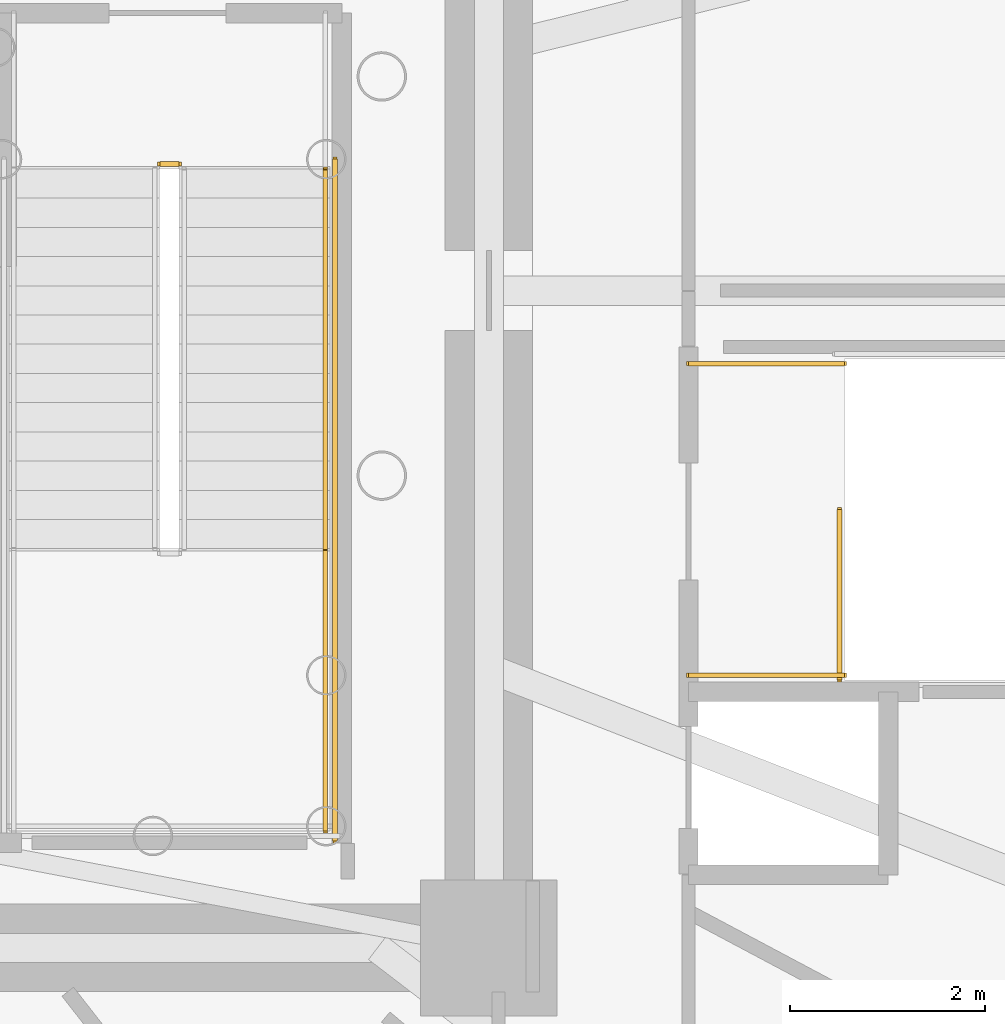
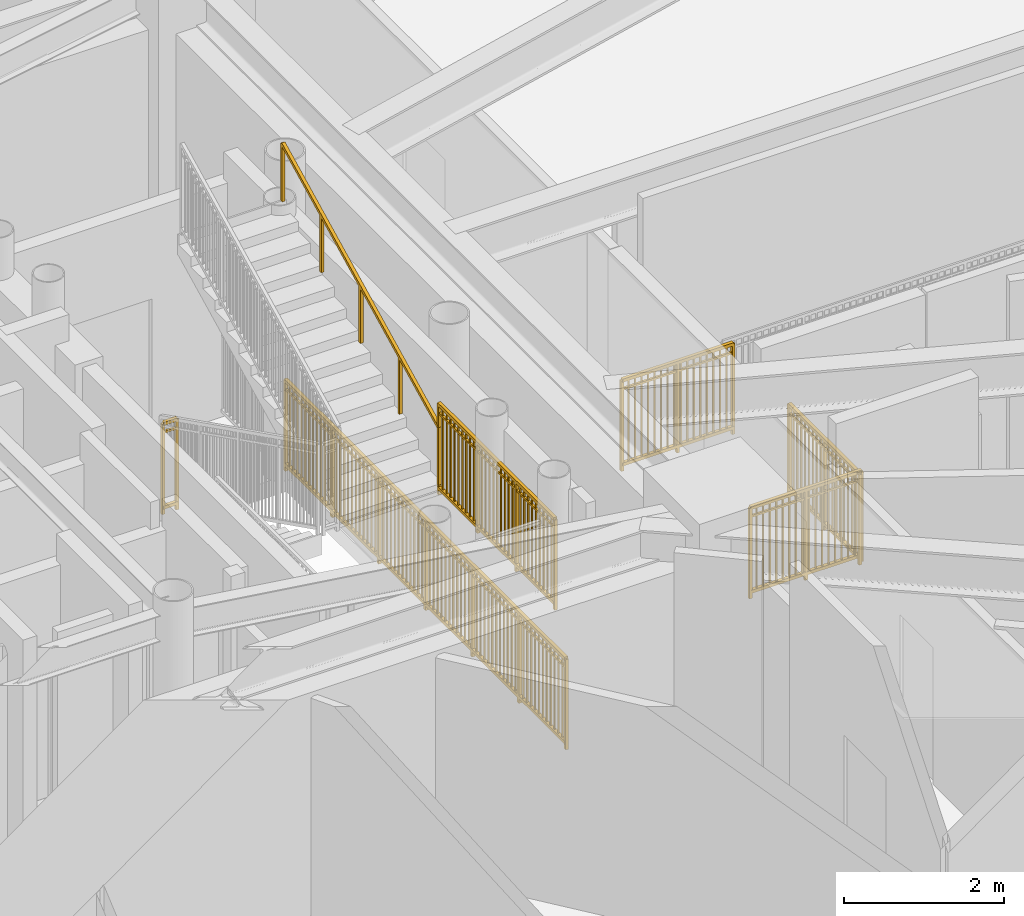
# One storey, part 27 of 28: 7 railings.
"""IFC4 building model written with IfcOpenShell, lengths in metres."""

import ifcopenshell
import ifcopenshell.guid

model = None  # the IFC model being written
_history = None  # IfcOwnerHistory: only IFC2X3 demands one
_inside = {}  # id of a spatial element -> (the spatial element, [elements in it])
_under = {}  # id of a project, library or spatial element -> (it, [spatial elements below it])
_declared = {}  # id of a project -> (the project, [libraries it declares])
_typed = {}  # id of a type object -> (the type object, [elements of that type])
_made_of = {}  # id of a material, layer set ... -> (it, [elements and type objects made of it])


def new_model(schema):
    """Start an empty IFC model of exactly this schema.

    Asked for "IFC4X3", IfcOpenShell would pick the latest addendum, in which some entities
    have other attributes; the version numbers below select the first issue.
    IFC2X3 requires an IfcOwnerHistory on every rooted entity: one is made here for all.
    """
    global model, _history
    if schema == "IFC4X3":
        model = ifcopenshell.file(schema_version=(4, 3, 0, 0))
    else:
        model = ifcopenshell.file(schema=schema)
    _inside.clear()
    _under.clear()
    _declared.clear()
    _typed.clear()
    _made_of.clear()
    _history = None
    if model.schema == "IFC2X3":
        org = make("IfcOrganization", Name="unknown")
        user = make(
            "IfcPersonAndOrganization",
            ThePerson=make("IfcPerson", FamilyName="unknown"),
            TheOrganization=org,
        )
        app = make(
            "IfcApplication",
            ApplicationDeveloper=org,
            Version="unknown",
            ApplicationFullName="unknown",
            ApplicationIdentifier="unknown",
        )
        _history = make(
            "IfcOwnerHistory",
            OwningUser=user,
            OwningApplication=app,
            ChangeAction="ADDED",
            CreationDate=0,
        )
    return model


def make(cls, **values):
    """One entity of the class cls with the attributes given. An attribute that is None is left unset."""
    return model.create_entity(
        cls, **{name: value for name, value in values.items() if value is not None}
    )


def rooted(cls, **values):
    """An entity with a GlobalId (a new one), such as an element, a storey or a relation."""
    return make(cls, GlobalId=ifcopenshell.guid.new(), OwnerHistory=_history, **values)


def si_unit(unit_type, name, prefix=None):
    """IfcSIUnit, for example si_unit("LENGTHUNIT", "METRE", prefix="MILLI")."""
    return make("IfcSIUnit", UnitType=unit_type, Prefix=prefix, Name=name)


def assignment(units):
    """IfcUnitAssignment: the units of a project."""
    return None if units is None else make("IfcUnitAssignment", Units=units)


def point(xyz):
    """IfcCartesianPoint."""
    return None if xyz is None else make("IfcCartesianPoint", Coordinates=xyz)


def direction(xyz):
    """IfcDirection."""
    return None if xyz is None else make("IfcDirection", DirectionRatios=xyz)


def frame(location, z_axis=None, x_axis=None):
    """IfcAxis2Placement3D, a coordinate frame: its origin and axes. An axis left out is left unset."""
    return make(
        "IfcAxis2Placement3D",
        Location=point(location),
        Axis=direction(z_axis),
        RefDirection=direction(x_axis),
    )


def frame_2d(location, x_axis=None):
    """IfcAxis2Placement2D, a coordinate frame in the plane: its origin and x axis."""
    return make(
        "IfcAxis2Placement2D", Location=point(location), RefDirection=direction(x_axis)
    )


def origin():
    """The frame at (0, 0, 0) with its axes left unset."""
    return frame((0.0, 0.0, 0.0))


def origin_2d():
    """The frame at (0, 0) in the plane with its x axis left unset."""
    return frame_2d((0.0, 0.0))


def place(relative_to, where):
    """IfcLocalPlacement: puts the frame where relative to a parent placement (None: the world)."""
    return make(
        "IfcLocalPlacement", PlacementRelTo=relative_to, RelativePlacement=where
    )


def context(
    kind, dimensions, precision=None, world=None, true_north=None, identifier=None
):
    """IfcGeometricRepresentationContext, for example the 3D "Model" context."""
    return make(
        "IfcGeometricRepresentationContext",
        ContextIdentifier=identifier,
        ContextType=kind,
        CoordinateSpaceDimension=dimensions,
        Precision=precision,
        WorldCoordinateSystem=world,
        TrueNorth=true_north,
    )


def subcontext(parent, identifier, kind, view, scale=None):
    """IfcGeometricRepresentationSubContext, for example "Body" below "Model"."""
    return make(
        "IfcGeometricRepresentationSubContext",
        ContextIdentifier=identifier,
        ContextType=kind,
        ParentContext=parent,
        TargetScale=scale,
        TargetView=view,
    )


def project(units=None, contexts=None):
    """IfcProject with its units and contexts."""
    return rooted(
        "IfcProject",
        Name="project",
        RepresentationContexts=contexts,
        UnitsInContext=assignment(units),
    )


def spatial(cls, under=None, at=None, **own):
    """A site, building, storey or space (cls), placed at a placement, below another one or the project."""
    s = rooted(cls, ObjectPlacement=at, **own)
    if under is not None:
        _under.setdefault(under.id(), (under, []))[1].append(s)
    return s


def profile(cls, at=None, kind="AREA", **sizes):
    """A parametric profile (cls). Its sizes go by their IFC names, for example OverallWidth=200.0."""
    return make(cls, ProfileType=kind, Position=at, **sizes)


def rectangle(**sizes):
    """IfcRectangleProfileDef."""
    return profile("IfcRectangleProfileDef", **sizes)


def extrude(swept, where, along, depth):
    """IfcExtrudedAreaSolid: the profile swept, set in the frame where, extruded along a direction by depth."""
    return make(
        "IfcExtrudedAreaSolid",
        SweptArea=swept,
        Position=where,
        ExtrudedDirection=direction(along),
        Depth=depth,
    )


def shape(context_of_items, identifier, shape_type, items):
    """IfcShapeRepresentation: the items that make up one representation, for example the "Body"."""
    return make(
        "IfcShapeRepresentation",
        ContextOfItems=context_of_items,
        RepresentationIdentifier=identifier,
        RepresentationType=shape_type,
        Items=items,
    )


def source(mapping_origin, context_of_items, identifier, shape_type, items):
    """IfcRepresentationMap: a shape defined once, which mapped items show again and again."""
    return make(
        "IfcRepresentationMap",
        MappingOrigin=mapping_origin,
        MappedRepresentation=shape(context_of_items, identifier, shape_type, items),
    )


def transform(
    local_origin,
    x_axis=None,
    y_axis=None,
    z_axis=None,
    scale=None,
    scale2=None,
    scale3=None,
    uniform=True,
):
    """IfcCartesianTransformationOperator3D, or its non-uniform kind. x_axis, y_axis, z_axis: its Axis1, 2, 3."""
    if uniform:
        return make(
            "IfcCartesianTransformationOperator3D",
            Axis1=direction(x_axis),
            Axis2=direction(y_axis),
            LocalOrigin=point(local_origin),
            Scale=scale,
            Axis3=direction(z_axis),
        )
    return make(
        "IfcCartesianTransformationOperator3DnonUniform",
        Axis1=direction(x_axis),
        Axis2=direction(y_axis),
        LocalOrigin=point(local_origin),
        Scale=scale,
        Axis3=direction(z_axis),
        Scale2=scale2,
        Scale3=scale3,
    )


def mapped(mapping_source, mapping_target):
    """IfcMappedItem: shows the shape of a source again, moved by a transform."""
    return make(
        "IfcMappedItem", MappingSource=mapping_source, MappingTarget=mapping_target
    )


def material(Name=None, Category=None):
    """IfcMaterial."""
    return make("IfcMaterial", Name=Name, Category=Category)


def made_of(thing, what):
    """Note that an element or type object is made of a material, layer set ...; save() writes the relation."""
    if what is not None:
        _made_of.setdefault(what.id(), (what, []))[1].append(thing)
    return thing


def type_object(cls, material=None, **own):
    """A type object (cls), such as IfcWallType, which elements share."""
    return made_of(rooted(cls, **own), material)


def element(
    cls,
    number,
    at=None,
    inside=None,
    cuts=None,
    type_object=None,
    material=None,
    context=None,
    identifier="Body",
    shape_type=None,
    held_by="IfcProductDefinitionShape",
    body=None,
    shapes=None,
    **own,
):
    """One element of the class cls, such as IfcWall. Its Tag is "e" and its number.

    at: its placement. inside: the storey or other place that contains it. cuts: it is an
    opening in that element (IfcRelVoidsElement). A single representation is given by context,
    identifier, shape_type and body (its items); several are given by shapes. held_by: the class
    of the entity that holds the representations. save() writes the other relations.
    """
    e = rooted(cls, Tag="e%d" % number, ObjectPlacement=at, **own)
    if body is not None:
        shapes = [shape(context, identifier, shape_type, body)]
    if shapes is not None:
        e.Representation = make(held_by, Representations=shapes)
    if inside is not None:
        _inside.setdefault(inside.id(), (inside, []))[1].append(e)
    if cuts is not None:
        rooted(
            "IfcRelVoidsElement", RelatingBuildingElement=cuts, RelatedOpeningElement=e
        )
    if type_object is not None:
        _typed.setdefault(type_object.id(), (type_object, []))[1].append(e)
    return made_of(e, material)


def aggregate(whole, parts):
    """IfcRelAggregates: a whole, such as a stair, and the parts it consists of."""
    return rooted("IfcRelAggregates", RelatingObject=whole, RelatedObjects=parts)


def save(model, path):
    """Write the relations noted so far, then the file.

    IfcRelAggregates (storeys below a building ...), IfcRelContainedInSpatialStructure (elements
    in a storey), IfcRelDefinesByType, IfcRelAssociatesMaterial and IfcRelDeclares: one each for
    every whole, place, type object, material and project.
    """
    for whole, parts in _under.values():
        aggregate(whole, parts)
    for where, things in _inside.values():
        rooted(
            "IfcRelContainedInSpatialStructure",
            RelatedElements=things,
            RelatingStructure=where,
        )
    for kind, things in _typed.values():
        rooted("IfcRelDefinesByType", RelatedObjects=things, RelatingType=kind)
    for what, things in _made_of.values():
        rooted("IfcRelAssociatesMaterial", RelatedObjects=things, RelatingMaterial=what)
    for by, libraries in _declared.values():
        rooted("IfcRelDeclares", RelatingContext=by, RelatedDefinitions=libraries)
    model.write(path)


model = new_model("IFC4")

# Units and contexts
model_context = context("Model", 3, precision=1e-05, world=origin(), true_north=direction((0.0, 1.0)))
body_context = subcontext(model_context, "Body", "Model", "MODEL_VIEW")
ifc_project = project(units=[si_unit("LENGTHUNIT", "METRE"), si_unit("AREAUNIT", "SQUARE_METRE"), si_unit("VOLUMEUNIT", "CUBIC_METRE"), si_unit("PLANEANGLEUNIT", "RADIAN"), si_unit("MASSUNIT", "GRAM", prefix="KILO")], contexts=[model_context])

# Site, building, storey
site_placement = place(None, origin())
site = spatial("IfcSite", under=ifc_project, at=site_placement, CompositionType="ELEMENT")
building_placement = place(site_placement, origin())
building = spatial("IfcBuilding", under=site, at=building_placement, Name="Linh Dai School and Residence Tower", CompositionType="ELEMENT")
storey_placement = place(building_placement, frame((0.0, 0.0, 57.60009765625)))
storey = spatial("IfcBuildingStorey", under=building, at=storey_placement, Name="L13", CompositionType="ELEMENT", Elevation=57.60009765625)

# Railings
ifc_material_1 = material(Name="Structural Steel S355JR", Category="steel")
railing_type_1 = type_object("IfcRailingType", Name="RL-ST-GUARD-1400", PredefinedType="GUARDRAIL", material=ifc_material_1)
shared_shape_1 = source(origin(), body_context, "Body", "SweptSolid", [
    extrude(rectangle(XDim=0.048095703125, YDim=0.048095703125, at=origin_2d()), frame((0.0, 0.0, 1.3759765625), z_axis=(1.0, 0.0, 0.0), x_axis=(0.0, 1.0, 0.0)), (0.0, 0.0, 1.0), 0.199951171875),
    extrude(rectangle(XDim=0.048095703125, YDim=0.048095703125, at=origin_2d()), frame((0.0, 0.0, 0.10009765625), z_axis=(1.0, 0.0, 0.0), x_axis=(0.0, 1.0, 0.0)), (0.0, 0.0, 1.0), 0.199951171875),
    extrude(rectangle(XDim=0.030029296875, YDim=0.030029296875, at=origin_2d()), frame((0.0, 0.0, 1.239990234375), z_axis=(1.0, 0.0, 0.0), x_axis=(0.0, 1.0, 0.0)), (0.0, 0.0, 1.0), 0.199951171875),
    extrude(rectangle(XDim=0.0419921875, YDim=0.0419921875, at=origin_2d()), origin(), (0.0, 0.0, 1.0), 1.3759765625),
    extrude(rectangle(XDim=0.0419921875, YDim=0.0419921875, at=origin_2d()), frame((0.199951171875, 0.0, 0.0)), (0.0, 0.0, 1.0), 1.3759765625),
])
railing_1_placement = place(storey_placement, frame((42.570068359375, 28.300048828125, 0.0)))
element("IfcRailing", 1, at=railing_1_placement, inside=storey, type_object=railing_type_1, Name="L13 ST2 stair guard 7", PredefinedType="GUARDRAIL", context=body_context, shape_type="MappedRepresentation", body=[
    mapped(shared_shape_1, transform((0.0, 0.0, 0.0), x_axis=(1.0, 0.0, 0.0), y_axis=(0.0, 1.0, 0.0), z_axis=(0.0, 0.0, 1.0), scale=1.0)),
])
shared_shape_2 = source(origin(), body_context, "Body", "SweptSolid", [
    extrude(rectangle(XDim=0.048095703125, YDim=0.048095703125, at=origin_2d()), frame((0.0, 0.0, 1.3759765625), z_axis=(0.0, -1.0, 0.0), x_axis=(1.0, 0.0, 0.0)), (0.0, 0.0, 1.0), 7.0),
    extrude(rectangle(XDim=0.048095703125, YDim=0.048095703125, at=origin_2d()), frame((0.0, 0.0, 0.10009765625), z_axis=(0.0, -1.0, 0.0), x_axis=(1.0, 0.0, 0.0)), (0.0, 0.0, 1.0), 7.0),
    extrude(rectangle(XDim=0.030029296875, YDim=0.030029296875, at=origin_2d()), frame((0.0, 0.0, 1.239990234375), z_axis=(0.0, -1.0, 0.0), x_axis=(1.0, 0.0, 0.0)), (0.0, 0.0, 1.0), 7.0),
    extrude(rectangle(XDim=0.02001953125, YDim=0.02001953125, at=origin_2d()), frame((0.0, -0.09716796875, 0.10009765625)), (0.0, 0.0, 1.0), 1.251708984375),
    extrude(rectangle(XDim=0.02001953125, YDim=0.02001953125, at=origin_2d()), frame((0.0, -0.1943359375, 0.10009765625)), (0.0, 0.0, 1.0), 1.251708984375),
    extrude(rectangle(XDim=0.02001953125, YDim=0.02001953125, at=origin_2d()), frame((0.0, -0.291748046875, 0.10009765625)), (0.0, 0.0, 1.0), 1.251708984375),
    extrude(rectangle(XDim=0.02001953125, YDim=0.02001953125, at=origin_2d()), frame((0.0, -0.388916015625, 0.10009765625)), (0.0, 0.0, 1.0), 1.251708984375),
    extrude(rectangle(XDim=0.02001953125, YDim=0.02001953125, at=origin_2d()), frame((0.0, -0.486083984375, 0.10009765625)), (0.0, 0.0, 1.0), 1.251708984375),
    extrude(rectangle(XDim=0.02001953125, YDim=0.02001953125, at=origin_2d()), frame((0.0, -0.583251953125, 0.10009765625)), (0.0, 0.0, 1.0), 1.251708984375),
    extrude(rectangle(XDim=0.02001953125, YDim=0.02001953125, at=origin_2d()), frame((0.0, -0.6806640625, 0.10009765625)), (0.0, 0.0, 1.0), 1.251708984375),
    extrude(rectangle(XDim=0.02001953125, YDim=0.02001953125, at=origin_2d()), frame((0.0, -0.77783203125, 0.10009765625)), (0.0, 0.0, 1.0), 1.251708984375),
    extrude(rectangle(XDim=0.02001953125, YDim=0.02001953125, at=origin_2d()), frame((0.0, -0.875, 0.10009765625)), (0.0, 0.0, 1.0), 1.251708984375),
    extrude(rectangle(XDim=0.02001953125, YDim=0.02001953125, at=origin_2d()), frame((0.0, -0.97216796875, 0.10009765625)), (0.0, 0.0, 1.0), 1.251708984375),
    extrude(rectangle(XDim=0.02001953125, YDim=0.02001953125, at=origin_2d()), frame((0.0, -1.0693359375, 0.10009765625)), (0.0, 0.0, 1.0), 1.251708984375),
    extrude(rectangle(XDim=0.02001953125, YDim=0.02001953125, at=origin_2d()), frame((0.0, -1.263916015625, 0.10009765625)), (0.0, 0.0, 1.0), 1.251708984375),
    extrude(rectangle(XDim=0.02001953125, YDim=0.02001953125, at=origin_2d()), frame((0.0, -1.361083984375, 0.10009765625)), (0.0, 0.0, 1.0), 1.251708984375),
    extrude(rectangle(XDim=0.02001953125, YDim=0.02001953125, at=origin_2d()), frame((0.0, -1.458251953125, 0.10009765625)), (0.0, 0.0, 1.0), 1.251708984375),
    extrude(rectangle(XDim=0.02001953125, YDim=0.02001953125, at=origin_2d()), frame((0.0, -1.5556640625, 0.10009765625)), (0.0, 0.0, 1.0), 1.251708984375),
    extrude(rectangle(XDim=0.02001953125, YDim=0.02001953125, at=origin_2d()), frame((0.0, -1.65283203125, 0.10009765625)), (0.0, 0.0, 1.0), 1.251708984375),
    extrude(rectangle(XDim=0.02001953125, YDim=0.02001953125, at=origin_2d()), frame((0.0, -1.75, 0.10009765625)), (0.0, 0.0, 1.0), 1.251708984375),
    extrude(rectangle(XDim=0.02001953125, YDim=0.02001953125, at=origin_2d()), frame((0.0, -1.84716796875, 0.10009765625)), (0.0, 0.0, 1.0), 1.251708984375),
    extrude(rectangle(XDim=0.02001953125, YDim=0.02001953125, at=origin_2d()), frame((0.0, -1.9443359375, 0.10009765625)), (0.0, 0.0, 1.0), 1.251708984375),
    extrude(rectangle(XDim=0.02001953125, YDim=0.02001953125, at=origin_2d()), frame((0.0, -2.041748046875, 0.10009765625)), (0.0, 0.0, 1.0), 1.251708984375),
    extrude(rectangle(XDim=0.02001953125, YDim=0.02001953125, at=origin_2d()), frame((0.0, -2.138916015625, 0.10009765625)), (0.0, 0.0, 1.0), 1.251708984375),
    extrude(rectangle(XDim=0.02001953125, YDim=0.02001953125, at=origin_2d()), frame((0.0, -2.236083984375, 0.10009765625)), (0.0, 0.0, 1.0), 1.251708984375),
    extrude(rectangle(XDim=0.02001953125, YDim=0.02001953125, at=origin_2d()), frame((0.0, -2.4306640625, 0.10009765625)), (0.0, 0.0, 1.0), 1.251708984375),
    extrude(rectangle(XDim=0.02001953125, YDim=0.02001953125, at=origin_2d()), frame((0.0, -2.52783203125, 0.10009765625)), (0.0, 0.0, 1.0), 1.251708984375),
    extrude(rectangle(XDim=0.02001953125, YDim=0.02001953125, at=origin_2d()), frame((0.0, -2.625, 0.10009765625)), (0.0, 0.0, 1.0), 1.251708984375),
    extrude(rectangle(XDim=0.02001953125, YDim=0.02001953125, at=origin_2d()), frame((0.0, -2.72216796875, 0.10009765625)), (0.0, 0.0, 1.0), 1.251708984375),
    extrude(rectangle(XDim=0.02001953125, YDim=0.02001953125, at=origin_2d()), frame((0.0, -2.8193359375, 0.10009765625)), (0.0, 0.0, 1.0), 1.251708984375),
    extrude(rectangle(XDim=0.02001953125, YDim=0.02001953125, at=origin_2d()), frame((0.0, -2.916748046875, 0.10009765625)), (0.0, 0.0, 1.0), 1.251708984375),
    extrude(rectangle(XDim=0.02001953125, YDim=0.02001953125, at=origin_2d()), frame((0.0, -3.013916015625, 0.10009765625)), (0.0, 0.0, 1.0), 1.251708984375),
    extrude(rectangle(XDim=0.02001953125, YDim=0.02001953125, at=origin_2d()), frame((0.0, -3.111083984375, 0.10009765625)), (0.0, 0.0, 1.0), 1.251708984375),
    extrude(rectangle(XDim=0.02001953125, YDim=0.02001953125, at=origin_2d()), frame((0.0, -3.208251953125, 0.10009765625)), (0.0, 0.0, 1.0), 1.251708984375),
    extrude(rectangle(XDim=0.02001953125, YDim=0.02001953125, at=origin_2d()), frame((0.0, -3.3056640625, 0.10009765625)), (0.0, 0.0, 1.0), 1.251708984375),
    extrude(rectangle(XDim=0.02001953125, YDim=0.02001953125, at=origin_2d()), frame((0.0, -3.40283203125, 0.10009765625)), (0.0, 0.0, 1.0), 1.251708984375),
    extrude(rectangle(XDim=0.02001953125, YDim=0.02001953125, at=origin_2d()), frame((0.0, -3.59716796875, 0.10009765625)), (0.0, 0.0, 1.0), 1.251708984375),
    extrude(rectangle(XDim=0.02001953125, YDim=0.02001953125, at=origin_2d()), frame((0.0, -3.6943359375, 0.10009765625)), (0.0, 0.0, 1.0), 1.251708984375),
    extrude(rectangle(XDim=0.02001953125, YDim=0.02001953125, at=origin_2d()), frame((0.0, -3.791748046875, 0.10009765625)), (0.0, 0.0, 1.0), 1.251708984375),
    extrude(rectangle(XDim=0.02001953125, YDim=0.02001953125, at=origin_2d()), frame((0.0, -3.888916015625, 0.10009765625)), (0.0, 0.0, 1.0), 1.251708984375),
    extrude(rectangle(XDim=0.02001953125, YDim=0.02001953125, at=origin_2d()), frame((0.0, -3.986083984375, 0.10009765625)), (0.0, 0.0, 1.0), 1.251708984375),
    extrude(rectangle(XDim=0.02001953125, YDim=0.02001953125, at=origin_2d()), frame((0.0, -4.083251953125, 0.10009765625)), (0.0, 0.0, 1.0), 1.251708984375),
    extrude(rectangle(XDim=0.02001953125, YDim=0.02001953125, at=origin_2d()), frame((0.0, -4.1806640625, 0.10009765625)), (0.0, 0.0, 1.0), 1.251708984375),
    extrude(rectangle(XDim=0.02001953125, YDim=0.02001953125, at=origin_2d()), frame((0.0, -4.27783203125, 0.10009765625)), (0.0, 0.0, 1.0), 1.251708984375),
    extrude(rectangle(XDim=0.02001953125, YDim=0.02001953125, at=origin_2d()), frame((0.0, -4.375, 0.10009765625)), (0.0, 0.0, 1.0), 1.251708984375),
    extrude(rectangle(XDim=0.02001953125, YDim=0.02001953125, at=origin_2d()), frame((0.0, -4.47216796875, 0.10009765625)), (0.0, 0.0, 1.0), 1.251708984375),
    extrude(rectangle(XDim=0.02001953125, YDim=0.02001953125, at=origin_2d()), frame((0.0, -4.5693359375, 0.10009765625)), (0.0, 0.0, 1.0), 1.251708984375),
    extrude(rectangle(XDim=0.02001953125, YDim=0.02001953125, at=origin_2d()), frame((0.0, -4.763916015625, 0.10009765625)), (0.0, 0.0, 1.0), 1.251708984375),
    extrude(rectangle(XDim=0.02001953125, YDim=0.02001953125, at=origin_2d()), frame((0.0, -4.861083984375, 0.10009765625)), (0.0, 0.0, 1.0), 1.251708984375),
    extrude(rectangle(XDim=0.02001953125, YDim=0.02001953125, at=origin_2d()), frame((0.0, -4.958251953125, 0.10009765625)), (0.0, 0.0, 1.0), 1.251708984375),
    extrude(rectangle(XDim=0.02001953125, YDim=0.02001953125, at=origin_2d()), frame((0.0, -5.0556640625, 0.10009765625)), (0.0, 0.0, 1.0), 1.251708984375),
    extrude(rectangle(XDim=0.02001953125, YDim=0.02001953125, at=origin_2d()), frame((0.0, -5.15283203125, 0.10009765625)), (0.0, 0.0, 1.0), 1.251708984375),
    extrude(rectangle(XDim=0.02001953125, YDim=0.02001953125, at=origin_2d()), frame((0.0, -5.25, 0.10009765625)), (0.0, 0.0, 1.0), 1.251708984375),
    extrude(rectangle(XDim=0.02001953125, YDim=0.02001953125, at=origin_2d()), frame((0.0, -5.34716796875, 0.10009765625)), (0.0, 0.0, 1.0), 1.251708984375),
    extrude(rectangle(XDim=0.02001953125, YDim=0.02001953125, at=origin_2d()), frame((0.0, -5.4443359375, 0.10009765625)), (0.0, 0.0, 1.0), 1.251708984375),
    extrude(rectangle(XDim=0.02001953125, YDim=0.02001953125, at=origin_2d()), frame((0.0, -5.541748046875, 0.10009765625)), (0.0, 0.0, 1.0), 1.251708984375),
    extrude(rectangle(XDim=0.02001953125, YDim=0.02001953125, at=origin_2d()), frame((0.0, -5.638916015625, 0.10009765625)), (0.0, 0.0, 1.0), 1.251708984375),
    extrude(rectangle(XDim=0.02001953125, YDim=0.02001953125, at=origin_2d()), frame((0.0, -5.736083984375, 0.10009765625)), (0.0, 0.0, 1.0), 1.251708984375),
    extrude(rectangle(XDim=0.02001953125, YDim=0.02001953125, at=origin_2d()), frame((0.0, -5.9306640625, 0.10009765625)), (0.0, 0.0, 1.0), 1.251708984375),
    extrude(rectangle(XDim=0.02001953125, YDim=0.02001953125, at=origin_2d()), frame((0.0, -6.02783203125, 0.10009765625)), (0.0, 0.0, 1.0), 1.251708984375),
    extrude(rectangle(XDim=0.02001953125, YDim=0.02001953125, at=origin_2d()), frame((0.0, -6.125, 0.10009765625)), (0.0, 0.0, 1.0), 1.251708984375),
    extrude(rectangle(XDim=0.02001953125, YDim=0.02001953125, at=origin_2d()), frame((0.0, -6.22216796875, 0.10009765625)), (0.0, 0.0, 1.0), 1.251708984375),
    extrude(rectangle(XDim=0.02001953125, YDim=0.02001953125, at=origin_2d()), frame((0.0, -6.3193359375, 0.10009765625)), (0.0, 0.0, 1.0), 1.251708984375),
    extrude(rectangle(XDim=0.02001953125, YDim=0.02001953125, at=origin_2d()), frame((0.0, -6.416748046875, 0.10009765625)), (0.0, 0.0, 1.0), 1.251708984375),
    extrude(rectangle(XDim=0.02001953125, YDim=0.02001953125, at=origin_2d()), frame((0.0, -6.513916015625, 0.10009765625)), (0.0, 0.0, 1.0), 1.251708984375),
    extrude(rectangle(XDim=0.02001953125, YDim=0.02001953125, at=origin_2d()), frame((0.0, -6.611083984375, 0.10009765625)), (0.0, 0.0, 1.0), 1.251708984375),
    extrude(rectangle(XDim=0.02001953125, YDim=0.02001953125, at=origin_2d()), frame((0.0, -6.708251953125, 0.10009765625)), (0.0, 0.0, 1.0), 1.251708984375),
    extrude(rectangle(XDim=0.02001953125, YDim=0.02001953125, at=origin_2d()), frame((0.0, -6.8056640625, 0.10009765625)), (0.0, 0.0, 1.0), 1.251708984375),
    extrude(rectangle(XDim=0.02001953125, YDim=0.02001953125, at=origin_2d()), frame((0.0, -6.90283203125, 0.10009765625)), (0.0, 0.0, 1.0), 1.251708984375),
    extrude(rectangle(XDim=0.0419921875, YDim=0.0419921875, at=origin_2d()), origin(), (0.0, 0.0, 1.0), 1.3759765625),
    extrude(rectangle(XDim=0.0419921875, YDim=0.0419921875, at=origin_2d()), frame((0.0, -1.166748046875, 0.0)), (0.0, 0.0, 1.0), 1.3759765625),
    extrude(rectangle(XDim=0.0419921875, YDim=0.0419921875, at=origin_2d()), frame((0.0, -2.333251953125, 0.0)), (0.0, 0.0, 1.0), 1.3759765625),
    extrude(rectangle(XDim=0.0419921875, YDim=0.0419921875, at=origin_2d()), frame((0.0, -3.5, 0.0)), (0.0, 0.0, 1.0), 1.3759765625),
    extrude(rectangle(XDim=0.0419921875, YDim=0.0419921875, at=origin_2d()), frame((0.0, -4.666748046875, 0.0)), (0.0, 0.0, 1.0), 1.3759765625),
    extrude(rectangle(XDim=0.0419921875, YDim=0.0419921875, at=origin_2d()), frame((0.0, -5.833251953125, 0.0)), (0.0, 0.0, 1.0), 1.3759765625),
    extrude(rectangle(XDim=0.0419921875, YDim=0.0419921875, at=origin_2d()), frame((0.0, -7.0, 0.0)), (0.0, 0.0, 1.0), 1.3759765625),
])
railing_2_placement = place(storey_placement, frame((44.3701171875, 28.35009765625, 0.0)))
element("IfcRailing", 2, at=railing_2_placement, inside=storey, type_object=railing_type_1, Name="L13 ST2 stair guard 11", PredefinedType="GUARDRAIL", context=body_context, shape_type="MappedRepresentation", body=[
    mapped(shared_shape_2, transform((0.0, 0.0, 0.0), x_axis=(1.0, 0.0, 0.0), y_axis=(0.0, 1.0, 0.0), z_axis=(0.0, 0.0, 1.0), scale=1.0)),
])
shared_shape_3 = source(origin(), body_context, "Body", "SweptSolid", [
    extrude(rectangle(XDim=0.048095703125, YDim=0.048095703125, at=origin_2d()), frame((0.0, 0.0, 1.3759765625), z_axis=(0.0, -1.0, 0.0), x_axis=(1.0, 0.0, 0.0)), (0.0, 0.0, 1.0), 2.900146484375),
    extrude(rectangle(XDim=0.048095703125, YDim=0.048095703125, at=origin_2d()), frame((0.0, 0.0, 0.10009765625), z_axis=(0.0, -1.0, 0.0), x_axis=(1.0, 0.0, 0.0)), (0.0, 0.0, 1.0), 2.900146484375),
    extrude(rectangle(XDim=0.030029296875, YDim=0.030029296875, at=origin_2d()), frame((0.0, 0.0, 1.239990234375), z_axis=(0.0, -1.0, 0.0), x_axis=(1.0, 0.0, 0.0)), (0.0, 0.0, 1.0), 2.900146484375),
    extrude(rectangle(XDim=0.02001953125, YDim=0.02001953125, at=origin_2d()), frame((0.0, -0.0966796875, 0.10009765625)), (0.0, 0.0, 1.0), 1.251708984375),
    extrude(rectangle(XDim=0.02001953125, YDim=0.02001953125, at=origin_2d()), frame((0.0, -0.193359375, 0.10009765625)), (0.0, 0.0, 1.0), 1.251708984375),
    extrude(rectangle(XDim=0.02001953125, YDim=0.02001953125, at=origin_2d()), frame((0.0, -0.2900390625, 0.10009765625)), (0.0, 0.0, 1.0), 1.251708984375),
    extrude(rectangle(XDim=0.02001953125, YDim=0.02001953125, at=origin_2d()), frame((0.0, -0.38671875, 0.10009765625)), (0.0, 0.0, 1.0), 1.251708984375),
    extrude(rectangle(XDim=0.02001953125, YDim=0.02001953125, at=origin_2d()), frame((0.0, -0.4833984375, 0.10009765625)), (0.0, 0.0, 1.0), 1.251708984375),
    extrude(rectangle(XDim=0.02001953125, YDim=0.02001953125, at=origin_2d()), frame((0.0, -0.580078125, 0.10009765625)), (0.0, 0.0, 1.0), 1.251708984375),
    extrude(rectangle(XDim=0.02001953125, YDim=0.02001953125, at=origin_2d()), frame((0.0, -0.6767578125, 0.10009765625)), (0.0, 0.0, 1.0), 1.251708984375),
    extrude(rectangle(XDim=0.02001953125, YDim=0.02001953125, at=origin_2d()), frame((0.0, -0.7734375, 0.10009765625)), (0.0, 0.0, 1.0), 1.251708984375),
    extrude(rectangle(XDim=0.02001953125, YDim=0.02001953125, at=origin_2d()), frame((0.0, -0.8701171875, 0.10009765625)), (0.0, 0.0, 1.0), 1.251708984375),
    extrude(rectangle(XDim=0.02001953125, YDim=0.02001953125, at=origin_2d()), frame((0.0, -1.0634765625, 0.10009765625)), (0.0, 0.0, 1.0), 1.251708984375),
    extrude(rectangle(XDim=0.02001953125, YDim=0.02001953125, at=origin_2d()), frame((0.0, -1.16015625, 0.10009765625)), (0.0, 0.0, 1.0), 1.251708984375),
    extrude(rectangle(XDim=0.02001953125, YDim=0.02001953125, at=origin_2d()), frame((0.0, -1.2568359375, 0.10009765625)), (0.0, 0.0, 1.0), 1.251708984375),
    extrude(rectangle(XDim=0.02001953125, YDim=0.02001953125, at=origin_2d()), frame((0.0, -1.353515625, 0.10009765625)), (0.0, 0.0, 1.0), 1.251708984375),
    extrude(rectangle(XDim=0.02001953125, YDim=0.02001953125, at=origin_2d()), frame((0.0, -1.4501953125, 0.10009765625)), (0.0, 0.0, 1.0), 1.251708984375),
    extrude(rectangle(XDim=0.02001953125, YDim=0.02001953125, at=origin_2d()), frame((0.0, -1.546630859375, 0.10009765625)), (0.0, 0.0, 1.0), 1.251708984375),
    extrude(rectangle(XDim=0.02001953125, YDim=0.02001953125, at=origin_2d()), frame((0.0, -1.643310546875, 0.10009765625)), (0.0, 0.0, 1.0), 1.251708984375),
    extrude(rectangle(XDim=0.02001953125, YDim=0.02001953125, at=origin_2d()), frame((0.0, -1.739990234375, 0.10009765625)), (0.0, 0.0, 1.0), 1.251708984375),
    extrude(rectangle(XDim=0.02001953125, YDim=0.02001953125, at=origin_2d()), frame((0.0, -1.836669921875, 0.10009765625)), (0.0, 0.0, 1.0), 1.251708984375),
    extrude(rectangle(XDim=0.02001953125, YDim=0.02001953125, at=origin_2d()), frame((0.0, -2.030029296875, 0.10009765625)), (0.0, 0.0, 1.0), 1.251708984375),
    extrude(rectangle(XDim=0.02001953125, YDim=0.02001953125, at=origin_2d()), frame((0.0, -2.126708984375, 0.10009765625)), (0.0, 0.0, 1.0), 1.251708984375),
    extrude(rectangle(XDim=0.02001953125, YDim=0.02001953125, at=origin_2d()), frame((0.0, -2.223388671875, 0.10009765625)), (0.0, 0.0, 1.0), 1.251708984375),
    extrude(rectangle(XDim=0.02001953125, YDim=0.02001953125, at=origin_2d()), frame((0.0, -2.320068359375, 0.10009765625)), (0.0, 0.0, 1.0), 1.251708984375),
    extrude(rectangle(XDim=0.02001953125, YDim=0.02001953125, at=origin_2d()), frame((0.0, -2.416748046875, 0.10009765625)), (0.0, 0.0, 1.0), 1.251708984375),
    extrude(rectangle(XDim=0.02001953125, YDim=0.02001953125, at=origin_2d()), frame((0.0, -2.513427734375, 0.10009765625)), (0.0, 0.0, 1.0), 1.251708984375),
    extrude(rectangle(XDim=0.02001953125, YDim=0.02001953125, at=origin_2d()), frame((0.0, -2.610107421875, 0.10009765625)), (0.0, 0.0, 1.0), 1.251708984375),
    extrude(rectangle(XDim=0.02001953125, YDim=0.02001953125, at=origin_2d()), frame((0.0, -2.706787109375, 0.10009765625)), (0.0, 0.0, 1.0), 1.251708984375),
    extrude(rectangle(XDim=0.02001953125, YDim=0.02001953125, at=origin_2d()), frame((0.0, -2.803466796875, 0.10009765625)), (0.0, 0.0, 1.0), 1.251708984375),
    extrude(rectangle(XDim=0.0419921875, YDim=0.0419921875, at=origin_2d()), origin(), (0.0, 0.0, 1.0), 1.3759765625),
    extrude(rectangle(XDim=0.0419921875, YDim=0.0419921875, at=origin_2d()), frame((0.0, -0.966796875, 0.0)), (0.0, 0.0, 1.0), 1.3759765625),
    extrude(rectangle(XDim=0.0419921875, YDim=0.0419921875, at=origin_2d()), frame((0.0, -1.933349609375, 0.0)), (0.0, 0.0, 1.0), 1.3759765625),
    extrude(rectangle(XDim=0.0419921875, YDim=0.0419921875, at=origin_2d()), frame((0.0, -2.900146484375, 0.0)), (0.0, 0.0, 1.0), 1.3759765625),
])
railing_3_placement = place(storey_placement, frame((44.27001953125, 24.35009765625, 2.099853515625)))
element("IfcRailing", 3, at=railing_3_placement, inside=storey, type_object=railing_type_1, Name="L13 ST2 stair guard 4", PredefinedType="GUARDRAIL", context=body_context, shape_type="MappedRepresentation", body=[
    mapped(shared_shape_3, transform((0.0, 0.0, 0.0), x_axis=(1.0, 0.0, 0.0), y_axis=(0.0, 1.0, 0.0), z_axis=(0.0, 0.0, 1.0), scale=1.0)),
])
ifc_material_2 = material(Name="Brushed Stainless Steel Handrail", Category="steel")
railing_type_2 = type_object("IfcRailingType", Name="RL-ST-HANDRAIL-900", PredefinedType="HANDRAIL", material=ifc_material_2)
shared_shape_4 = source(origin(), body_context, "Body", "SweptSolid", [
    extrude(rectangle(XDim=0.048095703125, YDim=0.048095703125, at=origin_2d()), frame((0.0, 0.0, 0.8759765625), z_axis=(0.0, 0.894427191, 0.4472135955), x_axis=(-1.0, 0.0, 0.0)), (0.0, 0.0, 1.0), 4.360107421875),
    extrude(rectangle(XDim=0.0419921875, YDim=0.0419921875, at=origin_2d()), origin(), (0.0, 0.0, 1.0), 0.8759765625),
    extrude(rectangle(XDim=0.0419921875, YDim=0.0419921875, at=origin_2d()), frame((0.0, 0.97509765625, 0.487548828125)), (0.0, 0.0, 1.0), 0.8759765625),
    extrude(rectangle(XDim=0.0419921875, YDim=0.0419921875, at=origin_2d()), frame((0.0, 1.949951171875, 0.97509765625)), (0.0, 0.0, 1.0), 0.8759765625),
    extrude(rectangle(XDim=0.0419921875, YDim=0.0419921875, at=origin_2d()), frame((0.0, 2.9248046875, 1.46240234375)), (0.0, 0.0, 1.0), 0.8759765625),
    extrude(rectangle(XDim=0.0419921875, YDim=0.0419921875, at=origin_2d()), frame((0.0, 3.89990234375, 1.949951171875)), (0.0, 0.0, 1.0), 0.8759765625),
])
railing_4_placement = place(storey_placement, frame((44.27001953125, 24.35009765625, 2.25)))
element("IfcRailing", 4, at=railing_4_placement, inside=storey, type_object=railing_type_2, Name="L13 ST2 stair handrail 2", PredefinedType="HANDRAIL", context=body_context, shape_type="MappedRepresentation", body=[
    mapped(shared_shape_4, transform((0.0, 0.0, 0.0), x_axis=(1.0, 0.0, 0.0), y_axis=(0.0, 1.0, 0.0), z_axis=(0.0, 0.0, 1.0), scale=1.0)),
])
shared_shape_5 = source(origin(), body_context, "Body", "SweptSolid", [
    extrude(rectangle(XDim=0.048095703125, YDim=0.048095703125, at=origin_2d()), frame((0.0, 0.0, 1.3759765625), z_axis=(1.0, 0.0, 0.0), x_axis=(0.0, 1.0, 0.0)), (0.0, 0.0, 1.0), 1.60009765625),
    extrude(rectangle(XDim=0.048095703125, YDim=0.048095703125, at=origin_2d()), frame((0.0, 0.0, 0.10009765625), z_axis=(1.0, 0.0, 0.0), x_axis=(0.0, 1.0, 0.0)), (0.0, 0.0, 1.0), 1.60009765625),
    extrude(rectangle(XDim=0.030029296875, YDim=0.030029296875, at=origin_2d()), frame((0.0, 0.0, 1.239990234375), z_axis=(1.0, 0.0, 0.0), x_axis=(0.0, 1.0, 0.0)), (0.0, 0.0, 1.0), 1.60009765625),
    extrude(rectangle(XDim=0.02001953125, YDim=0.02001953125, at=origin_2d()), frame((0.09423828125, 0.0, 0.10009765625)), (0.0, 0.0, 1.0), 1.251708984375),
    extrude(rectangle(XDim=0.02001953125, YDim=0.02001953125, at=origin_2d()), frame((0.188232421875, 0.0, 0.10009765625)), (0.0, 0.0, 1.0), 1.251708984375),
    extrude(rectangle(XDim=0.02001953125, YDim=0.02001953125, at=origin_2d()), frame((0.282470703125, 0.0, 0.10009765625)), (0.0, 0.0, 1.0), 1.251708984375),
    extrude(rectangle(XDim=0.02001953125, YDim=0.02001953125, at=origin_2d()), frame((0.37646484375, 0.0, 0.10009765625)), (0.0, 0.0, 1.0), 1.251708984375),
    extrude(rectangle(XDim=0.02001953125, YDim=0.02001953125, at=origin_2d()), frame((0.470703125, 0.0, 0.10009765625)), (0.0, 0.0, 1.0), 1.251708984375),
    extrude(rectangle(XDim=0.02001953125, YDim=0.02001953125, at=origin_2d()), frame((0.564697265625, 0.0, 0.10009765625)), (0.0, 0.0, 1.0), 1.251708984375),
    extrude(rectangle(XDim=0.02001953125, YDim=0.02001953125, at=origin_2d()), frame((0.658935546875, 0.0, 0.10009765625)), (0.0, 0.0, 1.0), 1.251708984375),
    extrude(rectangle(XDim=0.02001953125, YDim=0.02001953125, at=origin_2d()), frame((0.7529296875, 0.0, 0.10009765625)), (0.0, 0.0, 1.0), 1.251708984375),
    extrude(rectangle(XDim=0.02001953125, YDim=0.02001953125, at=origin_2d()), frame((0.84716796875, 0.0, 0.10009765625)), (0.0, 0.0, 1.0), 1.251708984375),
    extrude(rectangle(XDim=0.02001953125, YDim=0.02001953125, at=origin_2d()), frame((0.941162109375, 0.0, 0.10009765625)), (0.0, 0.0, 1.0), 1.251708984375),
    extrude(rectangle(XDim=0.02001953125, YDim=0.02001953125, at=origin_2d()), frame((1.035400390625, 0.0, 0.10009765625)), (0.0, 0.0, 1.0), 1.251708984375),
    extrude(rectangle(XDim=0.02001953125, YDim=0.02001953125, at=origin_2d()), frame((1.12939453125, 0.0, 0.10009765625)), (0.0, 0.0, 1.0), 1.251708984375),
    extrude(rectangle(XDim=0.02001953125, YDim=0.02001953125, at=origin_2d()), frame((1.2236328125, 0.0, 0.10009765625)), (0.0, 0.0, 1.0), 1.251708984375),
    extrude(rectangle(XDim=0.02001953125, YDim=0.02001953125, at=origin_2d()), frame((1.317626953125, 0.0, 0.10009765625)), (0.0, 0.0, 1.0), 1.251708984375),
    extrude(rectangle(XDim=0.02001953125, YDim=0.02001953125, at=origin_2d()), frame((1.411865234375, 0.0, 0.10009765625)), (0.0, 0.0, 1.0), 1.251708984375),
    extrude(rectangle(XDim=0.02001953125, YDim=0.02001953125, at=origin_2d()), frame((1.505859375, 0.0, 0.10009765625)), (0.0, 0.0, 1.0), 1.251708984375),
    extrude(rectangle(XDim=0.0419921875, YDim=0.0419921875, at=origin_2d()), origin(), (0.0, 0.0, 1.0), 1.3759765625),
    extrude(rectangle(XDim=0.0419921875, YDim=0.0419921875, at=origin_2d()), frame((0.800048828125, 0.0, 0.0)), (0.0, 0.0, 1.0), 1.3759765625),
    extrude(rectangle(XDim=0.0419921875, YDim=0.0419921875, at=origin_2d()), frame((1.60009765625, 0.0, 0.0)), (0.0, 0.0, 1.0), 1.3759765625),
])
for number, where, name in (
    (5, (48.0, 23.050048828125, 0.0), "L13 STS2 top well guard 5"),
    (6, (48.0, 26.25, 0.0), "L13 STS2 top well guard 6"),
):
    element("IfcRailing", number, at=place(storey_placement, frame(where)), inside=storey, type_object=railing_type_1, Name=name, PredefinedType="GUARDRAIL", context=body_context, shape_type="MappedRepresentation", body=[
        mapped(shared_shape_5, transform((0.0, 0.0, 0.0), x_axis=(1.0, 0.0, 0.0), y_axis=(0.0, 1.0, 0.0), z_axis=(0.0, 0.0, 1.0), scale=1.0)),
    ])
shared_shape_6 = source(origin(), body_context, "Body", "SweptSolid", [
    extrude(rectangle(XDim=0.048095703125, YDim=0.048095703125, at=origin_2d()), frame((0.0, 0.0, 1.3759765625), z_axis=(0.0, 1.0, 0.0), x_axis=(-1.0, 0.0, 0.0)), (0.0, 0.0, 1.0), 1.75),
    extrude(rectangle(XDim=0.048095703125, YDim=0.048095703125, at=origin_2d()), frame((0.0, 0.0, 0.10009765625), z_axis=(0.0, 1.0, 0.0), x_axis=(-1.0, 0.0, 0.0)), (0.0, 0.0, 1.0), 1.75),
    extrude(rectangle(XDim=0.030029296875, YDim=0.030029296875, at=origin_2d()), frame((0.0, 0.0, 1.239990234375), z_axis=(0.0, 1.0, 0.0), x_axis=(-1.0, 0.0, 0.0)), (0.0, 0.0, 1.0), 1.75),
    extrude(rectangle(XDim=0.02001953125, YDim=0.02001953125, at=origin_2d()), frame((0.0, 0.09716796875, 0.10009765625)), (0.0, 0.0, 1.0), 1.251708984375),
    extrude(rectangle(XDim=0.02001953125, YDim=0.02001953125, at=origin_2d()), frame((0.0, 0.1943359375, 0.10009765625)), (0.0, 0.0, 1.0), 1.251708984375),
    extrude(rectangle(XDim=0.02001953125, YDim=0.02001953125, at=origin_2d()), frame((0.0, 0.291748046875, 0.10009765625)), (0.0, 0.0, 1.0), 1.251708984375),
    extrude(rectangle(XDim=0.02001953125, YDim=0.02001953125, at=origin_2d()), frame((0.0, 0.388916015625, 0.10009765625)), (0.0, 0.0, 1.0), 1.251708984375),
    extrude(rectangle(XDim=0.02001953125, YDim=0.02001953125, at=origin_2d()), frame((0.0, 0.486083984375, 0.10009765625)), (0.0, 0.0, 1.0), 1.251708984375),
    extrude(rectangle(XDim=0.02001953125, YDim=0.02001953125, at=origin_2d()), frame((0.0, 0.583251953125, 0.10009765625)), (0.0, 0.0, 1.0), 1.251708984375),
    extrude(rectangle(XDim=0.02001953125, YDim=0.02001953125, at=origin_2d()), frame((0.0, 0.6806640625, 0.10009765625)), (0.0, 0.0, 1.0), 1.251708984375),
    extrude(rectangle(XDim=0.02001953125, YDim=0.02001953125, at=origin_2d()), frame((0.0, 0.77783203125, 0.10009765625)), (0.0, 0.0, 1.0), 1.251708984375),
    extrude(rectangle(XDim=0.02001953125, YDim=0.02001953125, at=origin_2d()), frame((0.0, 0.97216796875, 0.10009765625)), (0.0, 0.0, 1.0), 1.251708984375),
    extrude(rectangle(XDim=0.02001953125, YDim=0.02001953125, at=origin_2d()), frame((0.0, 1.0693359375, 0.10009765625)), (0.0, 0.0, 1.0), 1.251708984375),
    extrude(rectangle(XDim=0.02001953125, YDim=0.02001953125, at=origin_2d()), frame((0.0, 1.166748046875, 0.10009765625)), (0.0, 0.0, 1.0), 1.251708984375),
    extrude(rectangle(XDim=0.02001953125, YDim=0.02001953125, at=origin_2d()), frame((0.0, 1.263916015625, 0.10009765625)), (0.0, 0.0, 1.0), 1.251708984375),
    extrude(rectangle(XDim=0.02001953125, YDim=0.02001953125, at=origin_2d()), frame((0.0, 1.361083984375, 0.10009765625)), (0.0, 0.0, 1.0), 1.251708984375),
    extrude(rectangle(XDim=0.02001953125, YDim=0.02001953125, at=origin_2d()), frame((0.0, 1.458251953125, 0.10009765625)), (0.0, 0.0, 1.0), 1.251708984375),
    extrude(rectangle(XDim=0.02001953125, YDim=0.02001953125, at=origin_2d()), frame((0.0, 1.5556640625, 0.10009765625)), (0.0, 0.0, 1.0), 1.251708984375),
    extrude(rectangle(XDim=0.02001953125, YDim=0.02001953125, at=origin_2d()), frame((0.0, 1.65283203125, 0.10009765625)), (0.0, 0.0, 1.0), 1.251708984375),
    extrude(rectangle(XDim=0.0419921875, YDim=0.0419921875, at=origin_2d()), origin(), (0.0, 0.0, 1.0), 1.3759765625),
    extrude(rectangle(XDim=0.0419921875, YDim=0.0419921875, at=origin_2d()), frame((0.0, 0.875, 0.0)), (0.0, 0.0, 1.0), 1.3759765625),
    extrude(rectangle(XDim=0.0419921875, YDim=0.0419921875, at=origin_2d()), frame((0.0, 1.75, 0.0)), (0.0, 0.0, 1.0), 1.3759765625),
])
railing_5_placement = place(storey_placement, frame((49.550048828125, 23.0, 0.0)))
element("IfcRailing", 7, at=railing_5_placement, inside=storey, type_object=railing_type_1, Name="L13 STS2 top well guard 1", PredefinedType="GUARDRAIL", context=body_context, shape_type="MappedRepresentation", body=[
    mapped(shared_shape_6, transform((0.0, 0.0, 0.0), x_axis=(1.0, 0.0, 0.0), y_axis=(0.0, 1.0, 0.0), z_axis=(0.0, 0.0, 1.0), scale=1.0)),
])

save(model, "model.ifc")
